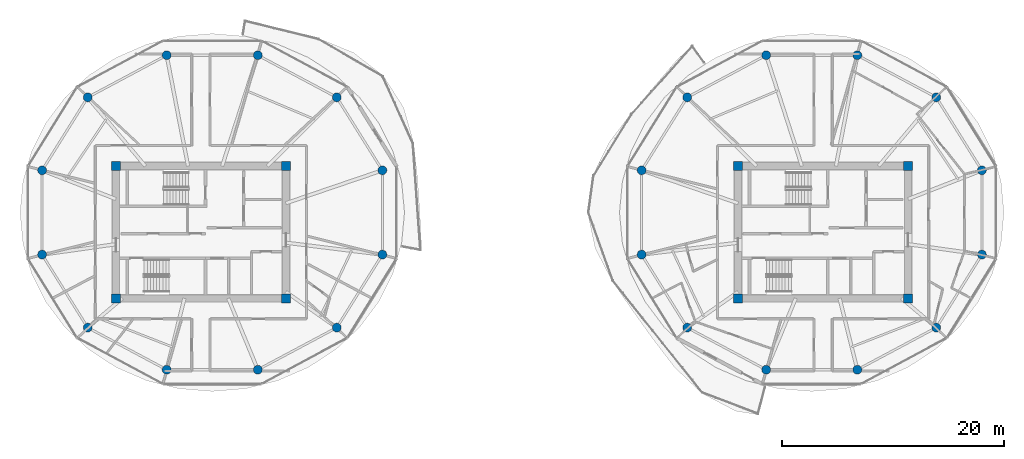
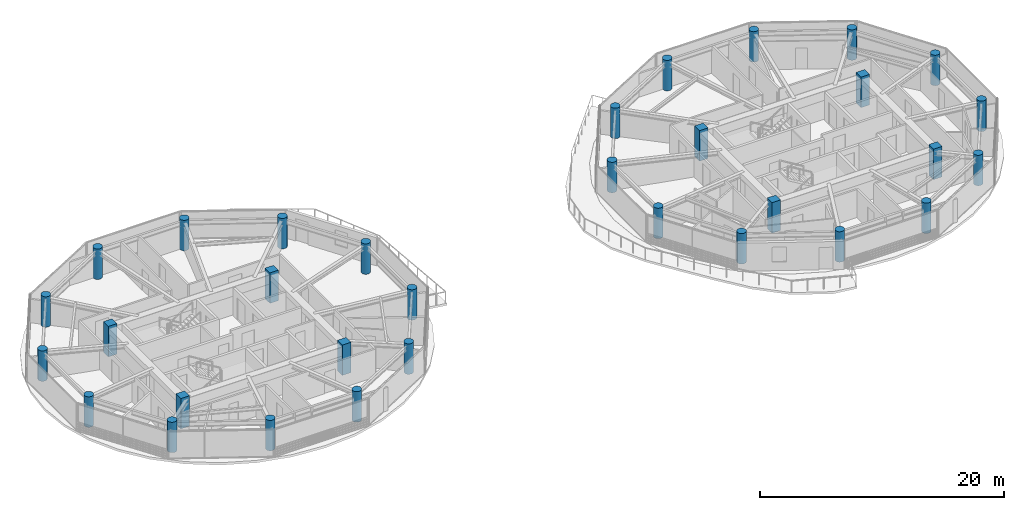
# One storey, part 1 of 22: 32 columns.
"""IFC4 building model written with IfcOpenShell, lengths in metres."""

import ifcopenshell
import ifcopenshell.guid

model = None  # the IFC model being written
_history = None  # IfcOwnerHistory: only IFC2X3 demands one
_inside = {}  # id of a spatial element -> (the spatial element, [elements in it])
_under = {}  # id of a project, library or spatial element -> (it, [spatial elements below it])
_declared = {}  # id of a project -> (the project, [libraries it declares])
_typed = {}  # id of a type object -> (the type object, [elements of that type])
_made_of = {}  # id of a material, layer set ... -> (it, [elements and type objects made of it])


def new_model(schema):
    """Start an empty IFC model of exactly this schema.

    Asked for "IFC4X3", IfcOpenShell would pick the latest addendum, in which some entities
    have other attributes; the version numbers below select the first issue.
    IFC2X3 requires an IfcOwnerHistory on every rooted entity: one is made here for all.
    """
    global model, _history
    if schema == "IFC4X3":
        model = ifcopenshell.file(schema_version=(4, 3, 0, 0))
    else:
        model = ifcopenshell.file(schema=schema)
    _inside.clear()
    _under.clear()
    _declared.clear()
    _typed.clear()
    _made_of.clear()
    _history = None
    if model.schema == "IFC2X3":
        org = make("IfcOrganization", Name="unknown")
        user = make(
            "IfcPersonAndOrganization",
            ThePerson=make("IfcPerson", FamilyName="unknown"),
            TheOrganization=org,
        )
        app = make(
            "IfcApplication",
            ApplicationDeveloper=org,
            Version="unknown",
            ApplicationFullName="unknown",
            ApplicationIdentifier="unknown",
        )
        _history = make(
            "IfcOwnerHistory",
            OwningUser=user,
            OwningApplication=app,
            ChangeAction="ADDED",
            CreationDate=0,
        )
    return model


def make(cls, **values):
    """One entity of the class cls with the attributes given. An attribute that is None is left unset."""
    return model.create_entity(
        cls, **{name: value for name, value in values.items() if value is not None}
    )


def rooted(cls, **values):
    """An entity with a GlobalId (a new one), such as an element, a storey or a relation."""
    return make(cls, GlobalId=ifcopenshell.guid.new(), OwnerHistory=_history, **values)


def si_unit(unit_type, name, prefix=None):
    """IfcSIUnit, for example si_unit("LENGTHUNIT", "METRE", prefix="MILLI")."""
    return make("IfcSIUnit", UnitType=unit_type, Prefix=prefix, Name=name)


def assignment(units):
    """IfcUnitAssignment: the units of a project."""
    return None if units is None else make("IfcUnitAssignment", Units=units)


def point(xyz):
    """IfcCartesianPoint."""
    return None if xyz is None else make("IfcCartesianPoint", Coordinates=xyz)


def direction(xyz):
    """IfcDirection."""
    return None if xyz is None else make("IfcDirection", DirectionRatios=xyz)


def frame(location, z_axis=None, x_axis=None):
    """IfcAxis2Placement3D, a coordinate frame: its origin and axes. An axis left out is left unset."""
    return make(
        "IfcAxis2Placement3D",
        Location=point(location),
        Axis=direction(z_axis),
        RefDirection=direction(x_axis),
    )


def frame_2d(location, x_axis=None):
    """IfcAxis2Placement2D, a coordinate frame in the plane: its origin and x axis."""
    return make(
        "IfcAxis2Placement2D", Location=point(location), RefDirection=direction(x_axis)
    )


def origin():
    """The frame at (0, 0, 0) with its axes left unset."""
    return frame((0.0, 0.0, 0.0))


def origin_2d():
    """The frame at (0, 0) in the plane with its x axis left unset."""
    return frame_2d((0.0, 0.0))


def place(relative_to, where):
    """IfcLocalPlacement: puts the frame where relative to a parent placement (None: the world)."""
    return make(
        "IfcLocalPlacement", PlacementRelTo=relative_to, RelativePlacement=where
    )


def context(
    kind, dimensions, precision=None, world=None, true_north=None, identifier=None
):
    """IfcGeometricRepresentationContext, for example the 3D "Model" context."""
    return make(
        "IfcGeometricRepresentationContext",
        ContextIdentifier=identifier,
        ContextType=kind,
        CoordinateSpaceDimension=dimensions,
        Precision=precision,
        WorldCoordinateSystem=world,
        TrueNorth=true_north,
    )


def subcontext(parent, identifier, kind, view, scale=None):
    """IfcGeometricRepresentationSubContext, for example "Body" below "Model"."""
    return make(
        "IfcGeometricRepresentationSubContext",
        ContextIdentifier=identifier,
        ContextType=kind,
        ParentContext=parent,
        TargetScale=scale,
        TargetView=view,
    )


def project(units=None, contexts=None):
    """IfcProject with its units and contexts."""
    return rooted(
        "IfcProject",
        Name="project",
        RepresentationContexts=contexts,
        UnitsInContext=assignment(units),
    )


def spatial(cls, under=None, at=None, **own):
    """A site, building, storey or space (cls), placed at a placement, below another one or the project."""
    s = rooted(cls, ObjectPlacement=at, **own)
    if under is not None:
        _under.setdefault(under.id(), (under, []))[1].append(s)
    return s


def profile(cls, at=None, kind="AREA", **sizes):
    """A parametric profile (cls). Its sizes go by their IFC names, for example OverallWidth=200.0."""
    return make(cls, ProfileType=kind, Position=at, **sizes)


def rectangle(**sizes):
    """IfcRectangleProfileDef."""
    return profile("IfcRectangleProfileDef", **sizes)


def circle(**sizes):
    """IfcCircleProfileDef."""
    return profile("IfcCircleProfileDef", **sizes)


def extrude(swept, where, along, depth):
    """IfcExtrudedAreaSolid: the profile swept, set in the frame where, extruded along a direction by depth."""
    return make(
        "IfcExtrudedAreaSolid",
        SweptArea=swept,
        Position=where,
        ExtrudedDirection=direction(along),
        Depth=depth,
    )


def shape(context_of_items, identifier, shape_type, items):
    """IfcShapeRepresentation: the items that make up one representation, for example the "Body"."""
    return make(
        "IfcShapeRepresentation",
        ContextOfItems=context_of_items,
        RepresentationIdentifier=identifier,
        RepresentationType=shape_type,
        Items=items,
    )


def source(mapping_origin, context_of_items, identifier, shape_type, items):
    """IfcRepresentationMap: a shape defined once, which mapped items show again and again."""
    return make(
        "IfcRepresentationMap",
        MappingOrigin=mapping_origin,
        MappedRepresentation=shape(context_of_items, identifier, shape_type, items),
    )


def transform(
    local_origin,
    x_axis=None,
    y_axis=None,
    z_axis=None,
    scale=None,
    scale2=None,
    scale3=None,
    uniform=True,
):
    """IfcCartesianTransformationOperator3D, or its non-uniform kind. x_axis, y_axis, z_axis: its Axis1, 2, 3."""
    if uniform:
        return make(
            "IfcCartesianTransformationOperator3D",
            Axis1=direction(x_axis),
            Axis2=direction(y_axis),
            LocalOrigin=point(local_origin),
            Scale=scale,
            Axis3=direction(z_axis),
        )
    return make(
        "IfcCartesianTransformationOperator3DnonUniform",
        Axis1=direction(x_axis),
        Axis2=direction(y_axis),
        LocalOrigin=point(local_origin),
        Scale=scale,
        Axis3=direction(z_axis),
        Scale2=scale2,
        Scale3=scale3,
    )


def mapped(mapping_source, mapping_target):
    """IfcMappedItem: shows the shape of a source again, moved by a transform."""
    return make(
        "IfcMappedItem", MappingSource=mapping_source, MappingTarget=mapping_target
    )


def material(Name=None, Category=None):
    """IfcMaterial."""
    return make("IfcMaterial", Name=Name, Category=Category)


def material_profile(
    of_material, cross_section, Name=None, Category=None, Priority=None
):
    """IfcMaterialProfile: a cross section and its material."""
    return make(
        "IfcMaterialProfile",
        Name=Name,
        Material=of_material,
        Profile=cross_section,
        Priority=Priority,
        Category=Category,
    )


def profile_set(profiles, Name=None, composite=None):
    """IfcMaterialProfileSet."""
    return make(
        "IfcMaterialProfileSet",
        Name=Name,
        MaterialProfiles=profiles,
        CompositeProfile=composite,
    )


def made_of(thing, what):
    """Note that an element or type object is made of a material, layer set ...; save() writes the relation."""
    if what is not None:
        _made_of.setdefault(what.id(), (what, []))[1].append(thing)
    return thing


def type_object(cls, material=None, **own):
    """A type object (cls), such as IfcWallType, which elements share."""
    return made_of(rooted(cls, **own), material)


def type_shapes(of_type, sources):
    """Give a type object the sources (RepresentationMaps) that its elements show as mapped items."""
    of_type.RepresentationMaps = sources


def element(
    cls,
    number,
    at=None,
    inside=None,
    cuts=None,
    type_object=None,
    material=None,
    context=None,
    identifier="Body",
    shape_type=None,
    held_by="IfcProductDefinitionShape",
    body=None,
    shapes=None,
    **own,
):
    """One element of the class cls, such as IfcWall. Its Tag is "e" and its number.

    at: its placement. inside: the storey or other place that contains it. cuts: it is an
    opening in that element (IfcRelVoidsElement). A single representation is given by context,
    identifier, shape_type and body (its items); several are given by shapes. held_by: the class
    of the entity that holds the representations. save() writes the other relations.
    """
    e = rooted(cls, Tag="e%d" % number, ObjectPlacement=at, **own)
    if body is not None:
        shapes = [shape(context, identifier, shape_type, body)]
    if shapes is not None:
        e.Representation = make(held_by, Representations=shapes)
    if inside is not None:
        _inside.setdefault(inside.id(), (inside, []))[1].append(e)
    if cuts is not None:
        rooted(
            "IfcRelVoidsElement", RelatingBuildingElement=cuts, RelatedOpeningElement=e
        )
    if type_object is not None:
        _typed.setdefault(type_object.id(), (type_object, []))[1].append(e)
    return made_of(e, material)


def aggregate(whole, parts):
    """IfcRelAggregates: a whole, such as a stair, and the parts it consists of."""
    return rooted("IfcRelAggregates", RelatingObject=whole, RelatedObjects=parts)


def save(model, path):
    """Write the relations noted so far, then the file.

    IfcRelAggregates (storeys below a building ...), IfcRelContainedInSpatialStructure (elements
    in a storey), IfcRelDefinesByType, IfcRelAssociatesMaterial and IfcRelDeclares: one each for
    every whole, place, type object, material and project.
    """
    for whole, parts in _under.values():
        aggregate(whole, parts)
    for where, things in _inside.values():
        rooted(
            "IfcRelContainedInSpatialStructure",
            RelatedElements=things,
            RelatingStructure=where,
        )
    for kind, things in _typed.values():
        rooted("IfcRelDefinesByType", RelatedObjects=things, RelatingType=kind)
    for what, things in _made_of.values():
        rooted("IfcRelAssociatesMaterial", RelatedObjects=things, RelatingMaterial=what)
    for by, libraries in _declared.values():
        rooted("IfcRelDeclares", RelatingContext=by, RelatedDefinitions=libraries)
    model.write(path)


model = new_model("IFC4")

# Units and contexts
model_context = context("Model", 3, precision=1e-05, world=origin(), true_north=direction((0.0, 1.0)))
body_context = subcontext(model_context, "Body", "Model", "MODEL_VIEW")
ifc_project = project(units=[si_unit("LENGTHUNIT", "METRE"), si_unit("AREAUNIT", "SQUARE_METRE"), si_unit("VOLUMEUNIT", "CUBIC_METRE"), si_unit("PLANEANGLEUNIT", "RADIAN"), si_unit("MASSUNIT", "GRAM", prefix="KILO")], contexts=[model_context])

# Site, building, storey
site_placement = place(None, origin())
site = spatial("IfcSite", under=ifc_project, at=site_placement, CompositionType="ELEMENT")
building_placement = place(site_placement, origin())
building = spatial("IfcBuilding", under=site, at=building_placement, Name="Norrkilde Senior Care Towers", CompositionType="ELEMENT")
storey_placement = place(building_placement, frame((0.0, 0.0, 137.35009765625)))
storey = spatial("IfcBuildingStorey", under=building, at=storey_placement, Name="L42", CompositionType="ELEMENT", Elevation=137.35009765625)

# Columns
ifc_material_1 = material(Name="Concrete C60/75", Category="concrete")
ifc_material_profile_1 = material_profile(ifc_material_1, rectangle(XDim=0.800048828125, YDim=0.800048828125, at=origin_2d()), Name="RC COL 800x800")
ifc_profile_set_1 = profile_set([ifc_material_profile_1], Name="Concrete C60/75")
column_type_1 = type_object("IfcColumnType", Name="Column Core Corner Z3-Z4 800", PredefinedType="COLUMN", material=ifc_profile_set_1)
shared_shape_1 = source(origin(), body_context, "Body", "SweptSolid", [
    extrude(rectangle(XDim=0.800048828125, YDim=0.800048828125, at=origin_2d()), origin(), (0.0, 0.0, 1.0), 3.0498046875),
])
type_shapes(column_type_1, [shared_shape_1])
for number, where, z_axis, x_axis, name in (
    (1, (-35.64990234375, -5.949951171875, 0.0), (0.0, 0.0, 1.0), (1.0, 0.0, 0.0), "L42 Core W Corner Column 1"),
    (2, (-20.35009765625, -5.949951171875, 0.0), (0.0, 0.0, 1.0), (1.0, 0.0, 0.0), "L42 Core W Corner Column 2"),
    (3, (-20.35009765625, 5.949951171875, 0.0), (0.0, 0.0, 1.0), (1.0, 0.0, 0.0), "L42 Core W Corner Column 3"),
    (4, (-35.64990234375, 5.949951171875, 0.0), (0.0, 0.0, 1.0), (1.0, 0.0, 0.0), "L42 Core W Corner Column 4"),
    (5, (20.35009765625, -5.949951171875, 0.0), (0.0, 0.0, 1.0), (1.0, 0.0, 0.0), "L42 Core E Corner Column 1"),
    (6, (35.64990234375, -5.949951171875, 0.0), (0.0, 0.0, 1.0), (1.0, 0.0, 0.0), "L42 Core E Corner Column 2"),
    (7, (35.64990234375, 5.949951171875, 0.0), (0.0, 0.0, 1.0), (1.0, 0.0, 0.0), "L42 Core E Corner Column 3"),
    (8, (20.35009765625, 5.949951171875, 0.0), (0.0, 0.0, 1.0), (1.0, 0.0, 0.0), "L42 Core E Corner Column 4"),
):
    element("IfcColumn", number, at=place(storey_placement, frame(where, z_axis=z_axis, x_axis=x_axis)), inside=storey, type_object=column_type_1, Name=name, PredefinedType="COLUMN", context=body_context, shape_type="MappedRepresentation", body=[
        mapped(shared_shape_1, transform((0.0, 0.0, 0.0), x_axis=(1.0, 0.0, 0.0), y_axis=(0.0, 1.0, 0.0), z_axis=(0.0, 0.0, 1.0), scale=1.0)),
    ])
ifc_material_2 = material(Name="Concrete C50/60", Category="concrete")
ifc_material_profile_2 = material_profile(ifc_material_2, circle(Radius=0.39990234375, at=origin_2d()), Name="RC CIR 800")
ifc_profile_set_2 = profile_set([ifc_material_profile_2], Name="Concrete C50/60")
column_type_2 = type_object("IfcColumnType", Name="Column Perimeter Z3 800", PredefinedType="COLUMN", material=ifc_profile_set_2)
shared_shape_2 = source(origin(), body_context, "Body", "SweptSolid", [
    extrude(circle(Radius=0.39990234375, at=origin_2d()), origin(), (0.0, 0.0, 1.0), 3.0498046875),
])
type_shapes(column_type_2, [shared_shape_2])
for number, where, z_axis, x_axis, name in (
    (9, (-11.6650390625, 5.567138671875, 0.0), (0.0, 0.0, 1.0), (1.0, 0.0, 0.0), "L42 Drum W Perimeter Column 01"),
    (10, (-15.767333984375, 12.134521484375, 0.0), (0.0, 0.0, 1.0), (1.0, 0.0, 0.0), "L42 Drum W Perimeter Column 02"),
    (11, (-22.872802734375, 15.92626953125, 0.0), (0.0, 0.0, 1.0), (1.0, 0.0, 0.0), "L42 Drum W Perimeter Column 03"),
    (12, (-31.077392578125, 15.92626953125, 0.0), (0.0, 0.0, 1.0), (1.0, 0.0, 0.0), "L42 Drum W Perimeter Column 04"),
    (13, (-38.1826171875, 12.134521484375, 0.0), (0.0, 0.0, 1.0), (1.0, 0.0, 0.0), "L42 Drum W Perimeter Column 05"),
    (14, (-42.284912109375, 5.567138671875, 0.0), (0.0, 0.0, 1.0), (1.0, 0.0, 0.0), "L42 Drum W Perimeter Column 06"),
    (15, (-42.284912109375, -2.016357421875, 0.0), (0.0, 0.0, 1.0), (1.0, 0.0, 0.0), "L42 Drum W Perimeter Column 07"),
    (16, (-38.1826171875, -8.583740234375, 0.0), (0.0, 0.0, 1.0), (1.0, 0.0, 0.0), "L42 Drum W Perimeter Column 08"),
    (17, (-31.077392578125, -12.37548828125, 0.0), (0.0, 0.0, 1.0), (1.0, 0.0, 0.0), "L42 Drum W Perimeter Column 09"),
    (18, (-22.872802734375, -12.37548828125, 0.0), (0.0, 0.0, 1.0), (1.0, 0.0, 0.0), "L42 Drum W Perimeter Column 10"),
    (19, (-15.767333984375, -8.583740234375, 0.0), (0.0, 0.0, 1.0), (1.0, 0.0, 0.0), "L42 Drum W Perimeter Column 11"),
    (20, (-11.6650390625, -2.016357421875, 0.0), (0.0, 0.0, 1.0), (1.0, 0.0, 0.0), "L42 Drum W Perimeter Column 12"),
    (21, (42.284912109375, 5.567138671875, 0.0), (0.0, 0.0, 1.0), (1.0, 0.0, 0.0), "L42 Drum E Perimeter Column 01"),
    (22, (38.1826171875, 12.134521484375, 0.0), (0.0, 0.0, 1.0), (1.0, 0.0, 0.0), "L42 Drum E Perimeter Column 02"),
    (23, (31.077392578125, 15.92626953125, 0.0), (0.0, 0.0, 1.0), (1.0, 0.0, 0.0), "L42 Drum E Perimeter Column 03"),
    (24, (22.872802734375, 15.92626953125, 0.0), (0.0, 0.0, 1.0), (1.0, 0.0, 0.0), "L42 Drum E Perimeter Column 04"),
    (25, (15.767333984375, 12.134521484375, 0.0), (0.0, 0.0, 1.0), (1.0, 0.0, 0.0), "L42 Drum E Perimeter Column 05"),
    (26, (11.6650390625, 5.567138671875, 0.0), (0.0, 0.0, 1.0), (1.0, 0.0, 0.0), "L42 Drum E Perimeter Column 06"),
    (27, (11.6650390625, -2.016357421875, 0.0), (0.0, 0.0, 1.0), (1.0, 0.0, 0.0), "L42 Drum E Perimeter Column 07"),
    (28, (15.767333984375, -8.583740234375, 0.0), (0.0, 0.0, 1.0), (1.0, 0.0, 0.0), "L42 Drum E Perimeter Column 08"),
    (29, (22.872802734375, -12.37548828125, 0.0), (0.0, 0.0, 1.0), (1.0, 0.0, 0.0), "L42 Drum E Perimeter Column 09"),
    (30, (31.077392578125, -12.37548828125, 0.0), (0.0, 0.0, 1.0), (1.0, 0.0, 0.0), "L42 Drum E Perimeter Column 10"),
    (31, (38.1826171875, -8.583740234375, 0.0), (0.0, 0.0, 1.0), (1.0, 0.0, 0.0), "L42 Drum E Perimeter Column 11"),
    (32, (42.284912109375, -2.016357421875, 0.0), (0.0, 0.0, 1.0), (1.0, 0.0, 0.0), "L42 Drum E Perimeter Column 12"),
):
    element("IfcColumn", number, at=place(storey_placement, frame(where, z_axis=z_axis, x_axis=x_axis)), inside=storey, type_object=column_type_2, Name=name, PredefinedType="COLUMN", context=body_context, shape_type="MappedRepresentation", body=[
        mapped(shared_shape_2, transform((0.0, 0.0, 0.0), x_axis=(1.0, 0.0, 0.0), y_axis=(0.0, 1.0, 0.0), z_axis=(0.0, 0.0, 1.0), scale=1.0)),
    ])

save(model, "model.ifc")
